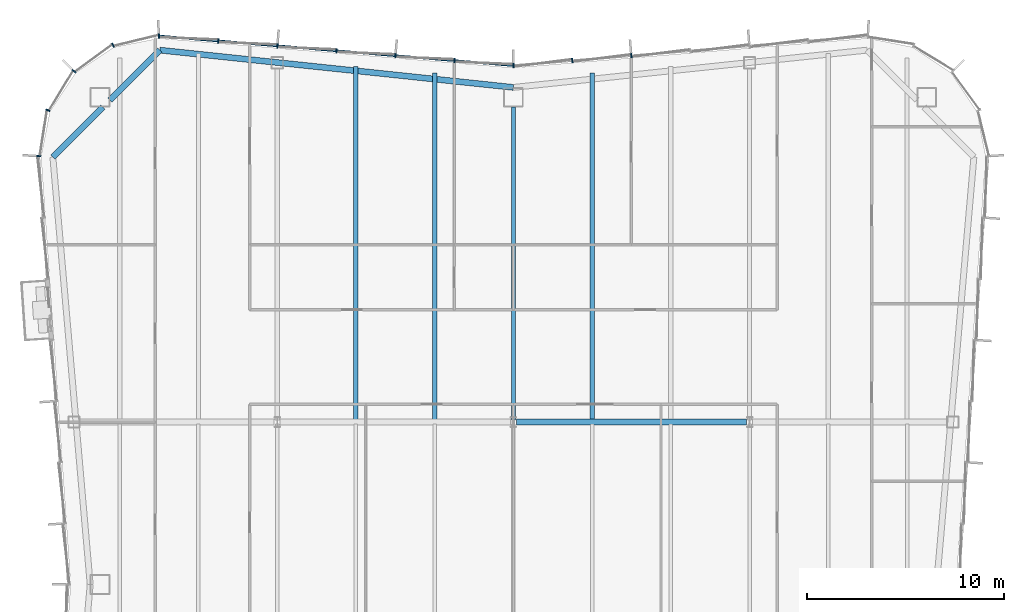
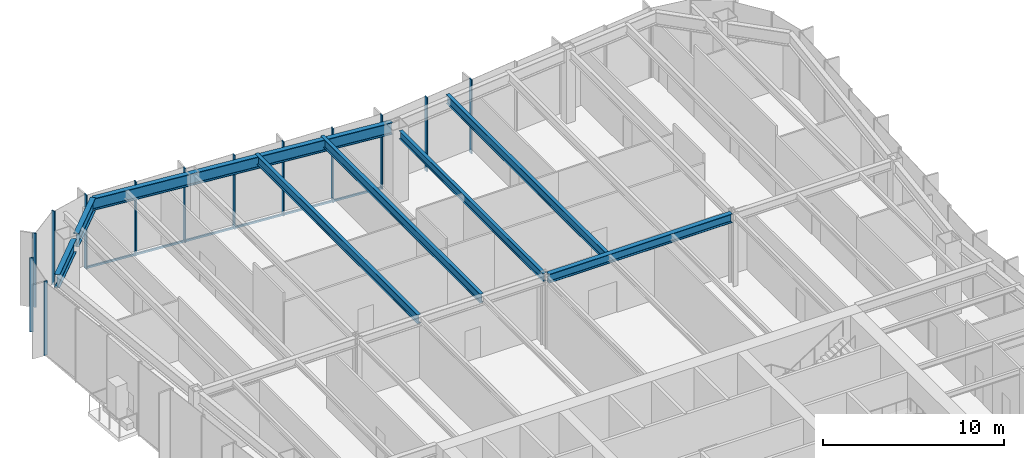
# One storey, part 7 of 15: 14 members, 8 beams, 3 elements without a shape of their own.
"""IFC4 building model written with IfcOpenShell, lengths in metres."""

from ifc_helpers import new_model, si_unit, direction, frame, origin, origin_2d, place, context, subcontext, project, spatial, rectangle, i_section, extrude, material, material_profile, profile_set, type_object, element, aggregate, save


model = new_model("IFC4")

# Units and contexts
model_context = context("Model", 3, precision=1e-05, world=origin(), true_north=direction((0.0, 1.0)))
body_context = subcontext(model_context, "Body", "Model", "MODEL_VIEW")
ifc_project = project(units=[si_unit("LENGTHUNIT", "METRE"), si_unit("AREAUNIT", "SQUARE_METRE"), si_unit("VOLUMEUNIT", "CUBIC_METRE"), si_unit("PLANEANGLEUNIT", "RADIAN"), si_unit("MASSUNIT", "GRAM", prefix="KILO")], contexts=[model_context])

# Site, building, storey
site_placement = place(None, origin())
site = spatial("IfcSite", under=ifc_project, at=site_placement, CompositionType="ELEMENT")
building_placement = place(site_placement, origin())
building = spatial("IfcBuilding", under=site, at=building_placement, Name="Verdant Reach Tower", CompositionType="ELEMENT")
storey_placement = place(building_placement, frame((0.0, 0.0, 233.0)))
storey = spatial("IfcBuildingStorey", under=building, at=storey_placement, Name="L53", CompositionType="ELEMENT", Elevation=233.0)

# Curtain wall, members
ifc_material_1 = material(Name="Anodised aluminium", Category="aluminium")
curtain_wall_type = type_object("IfcCurtainWallType", Name="EN-CW SYSTEM Z4", PredefinedType="NOTDEFINED", material=ifc_material_1)
curtain_wall_1_placement = place(storey_placement, origin())
curtain_wall_1 = element("IfcCurtainWall", 1, at=curtain_wall_1_placement, inside=storey, type_object=curtain_wall_type, Name="Curtain wall north, L53", PredefinedType="NOTDEFINED")
ifc_material_profile_1 = material_profile(ifc_material_1, rectangle(XDim=0.22412109375, YDim=0.068115234375, at=origin_2d()), Name="Mullion 68x224")
ifc_profile_set_1 = profile_set([ifc_material_profile_1], Name="Anodised aluminium")
member_type_1 = type_object("IfcMemberType", Name="EN-MULLION Z4", PredefinedType="MULLION", material=ifc_profile_set_1)
member_1_placement = place(storey_placement, frame((5.99072265625, 68.111572265625, -0.35009765625), z_axis=(0.0, 0.0, 1.0), x_axis=(-0.083045479859, 0.996545758244, 0.0)))
member_1 = element("IfcMember", 2, at=member_1_placement, type_object=member_type_1, Name="Mullion north face part 1 5, L53", PredefinedType="MULLION", context=body_context, shape_type="SweptSolid", body=[
    extrude(rectangle(XDim=0.22412109375, YDim=0.068115234375, at=origin_2d()), origin(), (0.0, 0.0, 1.0), 5.0),
])
member_2_placement = place(storey_placement, frame((2.99072265625, 67.861572265625, -0.35009765625), z_axis=(0.0, 0.0, 1.0), x_axis=(-0.083045479859, 0.996545758244, 0.0)))
member_2 = element("IfcMember", 3, at=member_2_placement, type_object=member_type_1, Name="Mullion north face part 1 6, L53", PredefinedType="MULLION", context=body_context, shape_type="SweptSolid", body=[
    extrude(rectangle(XDim=0.22412109375, YDim=0.068115234375, at=origin_2d()), origin(), (0.0, 0.0, 1.0), 5.0),
])
member_3_placement = place(storey_placement, frame((0.0, 67.612060546875, -0.35009765625), z_axis=(0.0, 0.0, 1.0), x_axis=(0.0, 1.0, 0.0)))
member_3 = element("IfcMember", 4, at=member_3_placement, type_object=member_type_1, Name="Mullion north face part 2 1, L53", PredefinedType="MULLION", context=body_context, shape_type="SweptSolid", body=[
    extrude(rectangle(XDim=0.22412109375, YDim=0.068115234375, at=origin_2d()), origin(), (0.0, 0.0, 1.0), 5.0),
])
member_4_placement = place(storey_placement, frame((-2.99072265625, 67.861572265625, -0.35009765625), z_axis=(0.0, 0.0, 1.0), x_axis=(0.083045479859, 0.996545758244, 0.0)))
member_4 = element("IfcMember", 5, at=member_4_placement, type_object=member_type_1, Name="Mullion north face part 2 2, L53", PredefinedType="MULLION", context=body_context, shape_type="SweptSolid", body=[
    extrude(rectangle(XDim=0.22412109375, YDim=0.068115234375, at=origin_2d()), origin(), (0.0, 0.0, 1.0), 5.0),
])
member_5_placement = place(storey_placement, frame((-5.99072265625, 68.111572265625, -0.35009765625), z_axis=(0.0, 0.0, 1.0), x_axis=(0.083045479859, 0.996545758244, 0.0)))
member_5 = element("IfcMember", 6, at=member_5_placement, type_object=member_type_1, Name="Mullion north face part 2 3, L53", PredefinedType="MULLION", context=body_context, shape_type="SweptSolid", body=[
    extrude(rectangle(XDim=0.22412109375, YDim=0.068115234375, at=origin_2d()), origin(), (0.0, 0.0, 1.0), 5.0),
])
member_6_placement = place(storey_placement, frame((-8.99072265625, 68.361572265625, -0.35009765625), z_axis=(0.0, 0.0, 1.0), x_axis=(0.083045479859, 0.996545758244, 0.0)))
member_6 = element("IfcMember", 7, at=member_6_placement, type_object=member_type_1, Name="Mullion north face part 2 4, L53", PredefinedType="MULLION", context=body_context, shape_type="SweptSolid", body=[
    extrude(rectangle(XDim=0.22412109375, YDim=0.068115234375, at=origin_2d()), origin(), (0.0, 0.0, 1.0), 5.0),
])
member_7_placement = place(storey_placement, frame((-11.99072265625, 68.611572265625, -0.35009765625), z_axis=(0.0, 0.0, 1.0), x_axis=(0.083045479859, 0.996545758244, 0.0)))
member_7 = element("IfcMember", 8, at=member_7_placement, type_object=member_type_1, Name="Mullion north face part 2 5, L53", PredefinedType="MULLION", context=body_context, shape_type="SweptSolid", body=[
    extrude(rectangle(XDim=0.22412109375, YDim=0.068115234375, at=origin_2d()), origin(), (0.0, 0.0, 1.0), 5.0),
])
member_8_placement = place(storey_placement, frame((-14.99072265625, 68.861572265625, -0.35009765625), z_axis=(0.0, 0.0, 1.0), x_axis=(0.083045479859, 0.996545758244, 0.0)))
member_8 = element("IfcMember", 9, at=member_8_placement, type_object=member_type_1, Name="Mullion north face part 2 6, L53", PredefinedType="MULLION", context=body_context, shape_type="SweptSolid", body=[
    extrude(rectangle(XDim=0.22412109375, YDim=0.068115234375, at=origin_2d()), origin(), (0.0, 0.0, 1.0), 5.0),
])

curtain_wall_2_placement = place(storey_placement, origin())
curtain_wall_2 = element("IfcCurtainWall", 10, at=curtain_wall_2_placement, inside=storey, type_object=curtain_wall_type, Name="Curtain wall north-west corner, L53", PredefinedType="NOTDEFINED")
member_9_placement = place(storey_placement, frame((-18.00634765625, 69.11181640625, -0.35009765625), z_axis=(0.0, 0.0, 1.0), x_axis=(-0.056569187765, 0.998398681387, 0.0)))
member_9 = element("IfcMember", 11, at=member_9_placement, type_object=member_type_1, Name="Mullion north-west corner 1, L53", PredefinedType="MULLION", context=body_context, shape_type="SweptSolid", body=[
    extrude(rectangle(XDim=0.22412109375, YDim=0.068115234375, at=origin_2d()), origin(), (0.0, 0.0, 1.0), 5.0),
])
member_10_placement = place(storey_placement, frame((-20.3388671875, 68.646728515625, -0.35009765625), z_axis=(0.0, 0.0, 1.0), x_axis=(-0.382693853776, 0.923875215753, 0.0)))
member_10 = element("IfcMember", 12, at=member_10_placement, type_object=member_type_1, Name="Mullion north-west corner 2, L53", PredefinedType="MULLION", context=body_context, shape_type="SweptSolid", body=[
    extrude(rectangle(XDim=0.22412109375, YDim=0.068115234375, at=origin_2d()), origin(), (0.0, 0.0, 1.0), 5.0),
])
member_11_placement = place(storey_placement, frame((-22.32177734375, 67.32177734375, -0.35009765625), z_axis=(0.0, 0.0, 1.0), x_axis=(-0.707106781187, 0.707106781187, 0.0)))
member_11 = element("IfcMember", 13, at=member_11_placement, type_object=member_type_1, Name="Mullion north-west corner 3, L53", PredefinedType="MULLION", context=body_context, shape_type="SweptSolid", body=[
    extrude(rectangle(XDim=0.22412109375, YDim=0.068115234375, at=origin_2d()), origin(), (0.0, 0.0, 1.0), 5.0),
])
member_12_placement = place(storey_placement, frame((-23.646728515625, 65.3388671875, -0.35009765625), z_axis=(0.0, 0.0, 1.0), x_axis=(-0.923875215753, 0.382693853776, 0.0)))
member_12 = element("IfcMember", 14, at=member_12_placement, type_object=member_type_1, Name="Mullion north-west corner 4, L53", PredefinedType="MULLION", context=body_context, shape_type="SweptSolid", body=[
    extrude(rectangle(XDim=0.22412109375, YDim=0.068115234375, at=origin_2d()), origin(), (0.0, 0.0, 1.0), 5.0),
])
aggregate(curtain_wall_2, [member_9, member_10, member_11, member_12])

# Curtain wall, member
curtain_wall_3_placement = place(storey_placement, origin())
curtain_wall_3 = element("IfcCurtainWall", 15, at=curtain_wall_3_placement, inside=storey, type_object=curtain_wall_type, Name="Curtain wall west, L53", PredefinedType="NOTDEFINED")
member_13_placement = place(storey_placement, frame((-24.11181640625, 63.007080078125, -0.35009765625), z_axis=(0.0, 0.0, 1.0), x_axis=(-0.997969180898, 0.063698618332, 0.0)))
member_13 = element("IfcMember", 16, at=member_13_placement, type_object=member_type_1, Name="Mullion west face part 1 1, L53", PredefinedType="MULLION", context=body_context, shape_type="SweptSolid", body=[
    extrude(rectangle(XDim=0.22412109375, YDim=0.068115234375, at=origin_2d()), origin(), (0.0, 0.0, 1.0), 5.0),
])
aggregate(curtain_wall_3, [member_13])

# Member
ifc_material_profile_2 = material_profile(ifc_material_1, rectangle(XDim=0.10009765625, YDim=0.1279296875, at=origin_2d()), Name="Transom 128x100")
ifc_profile_set_2 = profile_set([ifc_material_profile_2], Name="Anodised aluminium")
member_type_2 = type_object("IfcMemberType", Name="EN-TRANSOM Z4", PredefinedType="USERDEFINED", material=ifc_profile_set_2)
member_14_placement = place(storey_placement, frame((-0.033935546875, 67.61474609375, -0.285888671875), z_axis=(-0.996549124771, 0.083005071637, 0.0), x_axis=(-0.083005071637, -0.996549124771, 0.0)))
member_14 = element("IfcMember", 17, at=member_14_placement, type_object=member_type_2, Name="Transom north face part 2 1.1, L53", ObjectType="TRANSOM", PredefinedType="USERDEFINED", context=body_context, shape_type="SweptSolid", body=[
    extrude(rectangle(XDim=0.10009765625, YDim=0.1279296875, at=origin_2d()), origin(), (0.0, 0.0, 1.0), 18.00048828125),
])

aggregate(curtain_wall_1, [member_1, member_2, member_3, member_4, member_5, member_6, member_7, member_8, member_14])

# Beams
ifc_material_2 = material(Name="Steel S355", Category="steel")
ifc_material_profile_3 = material_profile(ifc_material_2, i_section(OverallWidth=0.300048828125, OverallDepth=0.60009765625, WebThickness=0.015380859375, FlangeThickness=0.030029296875, FilletRadius=0.027099609375, at=origin_2d()), Name="HEB 600")
ifc_profile_set_3 = profile_set([ifc_material_profile_3], Name="Steel S355")
beam_type_1 = type_object("IfcBeamType", Name="ST-BEAM-HEB600", PredefinedType="BEAM", material=ifc_profile_set_3)
beam_1_placement = place(storey_placement, frame((0.153076171875, 49.5, 4.570068359375), z_axis=(1.0, 0.0, 0.0), x_axis=(0.0, 1.0, 0.0)))
element("IfcBeam", 18, at=beam_1_placement, inside=storey, type_object=beam_type_1, Name="Row girder, L53", PredefinedType="BEAM", context=body_context, shape_type="SweptSolid", body=[
    extrude(i_section(OverallWidth=0.300048828125, OverallDepth=0.60009765625, WebThickness=0.015380859375, FlangeThickness=0.030029296875, FilletRadius=0.027099609375, at=origin_2d()), origin(), (0.0, 0.0, 1.0), 11.69384765625),
])
ifc_material_profile_4 = material_profile(ifc_material_2, i_section(OverallWidth=0.2099609375, OverallDepth=0.550048828125, WebThickness=0.010986328125, FlangeThickness=0.01708984375, FilletRadius=0.02392578125, at=origin_2d()), Name="IPE 550")
ifc_profile_set_4 = profile_set([ifc_material_profile_4], Name="Steel S355")
beam_type_2 = type_object("IfcBeamType", Name="ST-JOIST-IPE550", PredefinedType="JOIST", material=ifc_profile_set_4)
beam_2_placement = place(storey_placement, frame((0.0, 49.60009765625, 4.594970703125), z_axis=(0.0, 1.0, 0.0), x_axis=(-1.0, 0.0, 0.0)))
element("IfcBeam", 19, at=beam_2_placement, inside=storey, type_object=beam_type_2, Name="Floor joist, L53", PredefinedType="JOIST", context=body_context, shape_type="SweptSolid", body=[
    extrude(i_section(OverallWidth=0.2099609375, OverallDepth=0.550048828125, WebThickness=0.010986328125, FlangeThickness=0.01708984375, FilletRadius=0.02392578125, at=origin_2d()), origin(), (0.0, 0.0, 1.0), 15.89990234375),
])
ifc_material_profile_5 = material_profile(ifc_material_2, i_section(OverallWidth=0.219970703125, OverallDepth=0.60009765625, WebThickness=0.011962890625, FlangeThickness=0.01904296875, FilletRadius=0.02392578125, at=origin_2d()), Name="IPE 600")
ifc_profile_set_5 = profile_set([ifc_material_profile_5], Name="Steel S355")
beam_type_3 = type_object("IfcBeamType", Name="ST-JOIST-IPE600", PredefinedType="JOIST", material=ifc_profile_set_5)
beam_3_placement = place(storey_placement, frame((-8.0, 49.60009765625, 4.570068359375), z_axis=(0.0, 1.0, 0.0), x_axis=(-1.0, 0.0, 0.0)))
element("IfcBeam", 20, at=beam_3_placement, inside=storey, type_object=beam_type_3, Name="Floor joist, L53", PredefinedType="JOIST", context=body_context, shape_type="SweptSolid", body=[
    extrude(i_section(OverallWidth=0.219970703125, OverallDepth=0.60009765625, WebThickness=0.011962890625, FlangeThickness=0.01904296875, FilletRadius=0.02392578125, at=origin_2d()), origin(), (0.0, 0.0, 1.0), 17.964599609375),
])
for number, where, z_axis, x_axis, name in (
    (21, (-4.0, 49.60009765625, 4.570068359375), (0.0, 1.0, 0.0), (-1.0, 0.0, 0.0), "Floor joist, L53"),
    (22, (4.0, 49.60009765625, 4.570068359375), (0.0, 1.0, 0.0), (-1.0, 0.0, 0.0), "Floor joist, L53"),
):
    element("IfcBeam", number, at=place(storey_placement, frame(where, z_axis=z_axis, x_axis=x_axis)), inside=storey, type_object=beam_type_3, Name=name, PredefinedType="JOIST", context=body_context, shape_type="SweptSolid", body=[
        extrude(i_section(OverallWidth=0.219970703125, OverallDepth=0.60009765625, WebThickness=0.011962890625, FlangeThickness=0.01904296875, FilletRadius=0.02392578125, at=origin_2d()), origin(), (0.0, 0.0, 1.0), 17.631103515625),
    ])
ifc_material_profile_6 = material_profile(ifc_material_2, i_section(OverallWidth=0.300048828125, OverallDepth=0.800048828125, WebThickness=0.017578125, FlangeThickness=0.032958984375, FilletRadius=0.030029296875, at=origin_2d()), Name="HEB 800")
ifc_profile_set_6 = profile_set([ifc_material_profile_6], Name="Steel S355")
beam_type_4 = type_object("IfcBeamType", Name="ST-SPANDREL-HEB800", PredefinedType="SPANDREL", material=ifc_profile_set_6)
beam_4_placement = place(storey_placement, frame((-17.9658203125, 68.39501953125, 4.469970703125), z_axis=(0.994483067002, -0.104897232783, 0.0), x_axis=(0.104897232783, 0.994483067002, 0.0)))
element("IfcBeam", 23, at=beam_4_placement, inside=storey, type_object=beam_type_4, Name="Edge beam, L53", PredefinedType="SPANDREL", context=body_context, shape_type="SweptSolid", body=[
    extrude(i_section(OverallWidth=0.300048828125, OverallDepth=0.800048828125, WebThickness=0.017578125, FlangeThickness=0.032958984375, FilletRadius=0.030029296875, at=origin_2d()), origin(), (0.0, 0.0, 1.0), 18.0654296875),
])
ifc_material_profile_7 = material_profile(ifc_material_2, i_section(OverallWidth=0.302001953125, OverallDepth=0.909912109375, WebThickness=0.02099609375, FlangeThickness=0.0400390625, FilletRadius=0.030029296875, at=origin_2d()), Name="HEM 900")
ifc_profile_set_7 = profile_set([ifc_material_profile_7], Name="Steel S355")
beam_type_5 = type_object("IfcBeamType", Name="ST-SPANDREL-HEM900", PredefinedType="SPANDREL", material=ifc_profile_set_7)
beam_5_placement = place(storey_placement, frame((-23.39599609375, 62.96142578125, 4.4150390625), z_axis=(0.706902680526, 0.707310822952, 0.0), x_axis=(-0.707310822952, 0.706902680526, 0.0)))
element("IfcBeam", 24, at=beam_5_placement, inside=storey, type_object=beam_type_5, Name="Edge beam, L53", PredefinedType="SPANDREL", context=body_context, shape_type="SweptSolid", body=[
    extrude(i_section(OverallWidth=0.302001953125, OverallDepth=0.909912109375, WebThickness=0.02099609375, FlangeThickness=0.0400390625, FilletRadius=0.030029296875, at=origin_2d()), origin(), (0.0, 0.0, 1.0), 3.589111328125),
])
beam_6_placement = place(storey_placement, frame((-20.5, 65.859130859375, 4.4150390625), z_axis=(0.706868394255, 0.707345087777, 0.0), x_axis=(-0.707345087777, 0.706868394255, 0.0)))
element("IfcBeam", 25, at=beam_6_placement, inside=storey, type_object=beam_type_5, Name="Edge beam, L53", PredefinedType="SPANDREL", context=body_context, shape_type="SweptSolid", body=[
    extrude(i_section(OverallWidth=0.302001953125, OverallDepth=0.909912109375, WebThickness=0.02099609375, FlangeThickness=0.0400390625, FilletRadius=0.030029296875, at=origin_2d()), origin(), (0.0, 0.0, 1.0), 3.5849609375),
])

save(model, "model.ifc")
